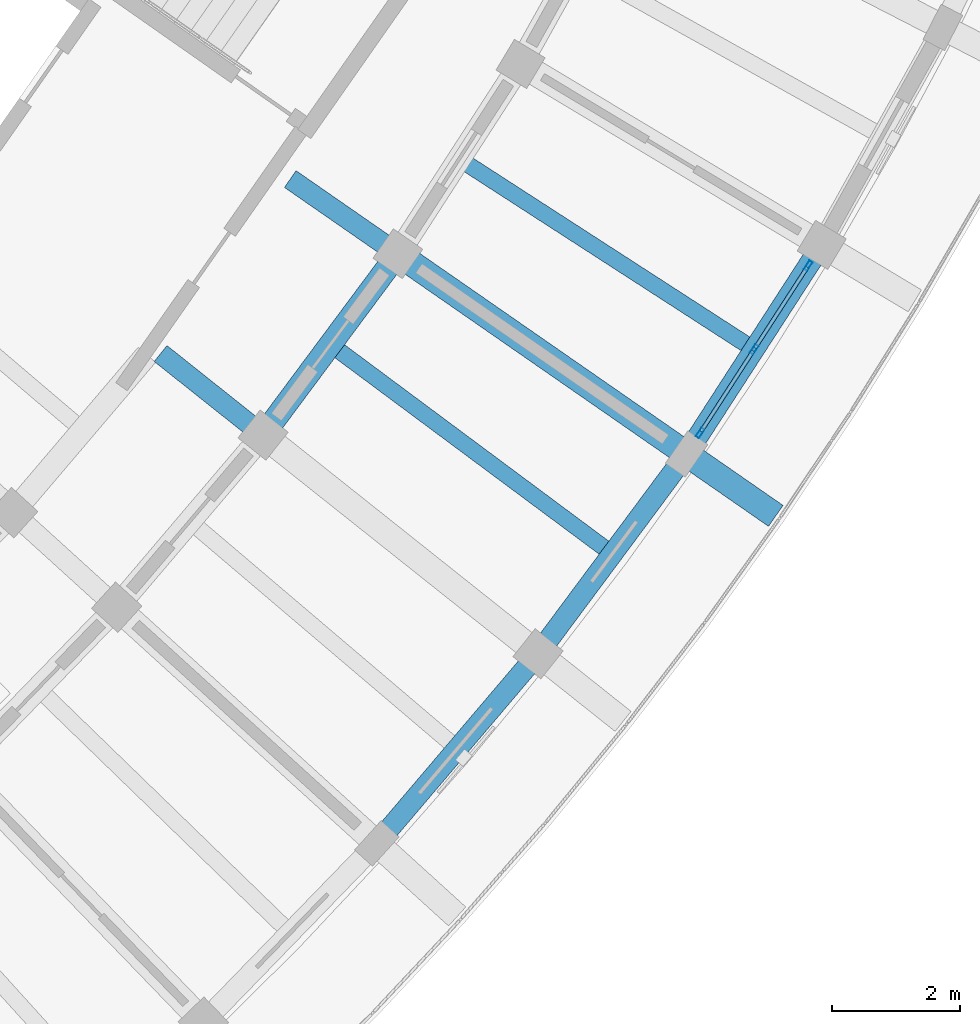
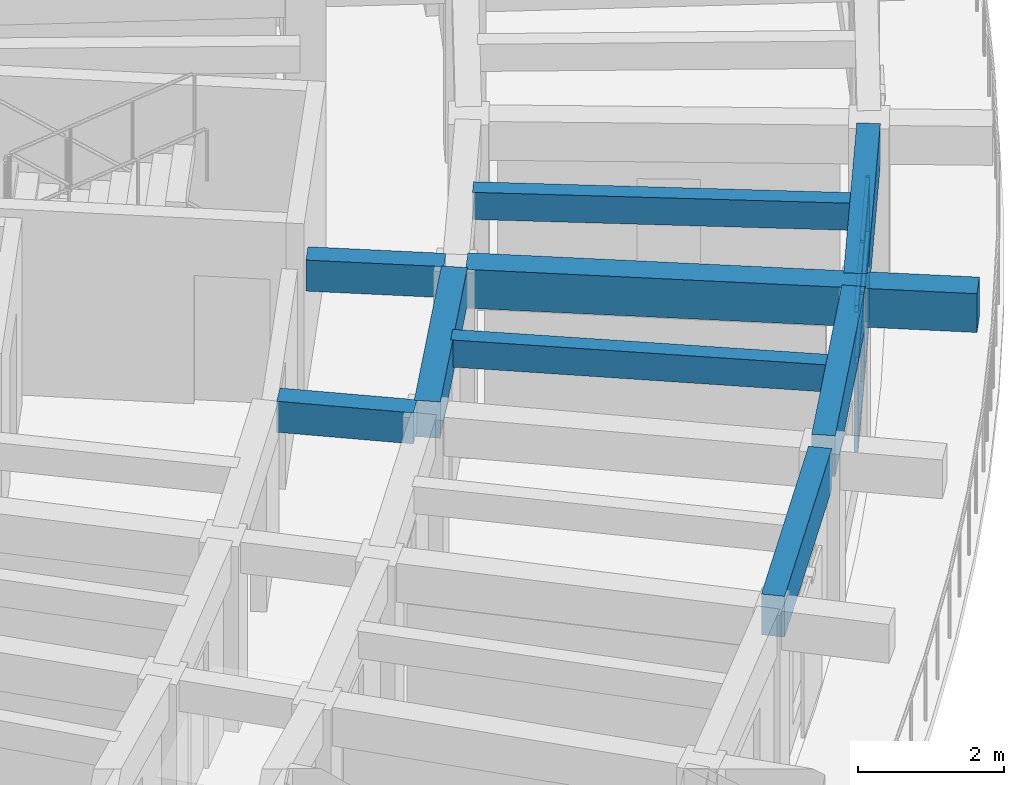
# One storey, part 21 of 78: 9 beams, 9 members, 1 element without a shape of its own.
"""IFC4 building model written with IfcOpenShell, lengths in metres."""

import ifcopenshell
import ifcopenshell.guid

model = None  # the IFC model being written
_history = None  # IfcOwnerHistory: only IFC2X3 demands one
_inside = {}  # id of a spatial element -> (the spatial element, [elements in it])
_under = {}  # id of a project, library or spatial element -> (it, [spatial elements below it])
_declared = {}  # id of a project -> (the project, [libraries it declares])
_typed = {}  # id of a type object -> (the type object, [elements of that type])
_made_of = {}  # id of a material, layer set ... -> (it, [elements and type objects made of it])


def new_model(schema):
    """Start an empty IFC model of exactly this schema.

    Asked for "IFC4X3", IfcOpenShell would pick the latest addendum, in which some entities
    have other attributes; the version numbers below select the first issue.
    IFC2X3 requires an IfcOwnerHistory on every rooted entity: one is made here for all.
    """
    global model, _history
    if schema == "IFC4X3":
        model = ifcopenshell.file(schema_version=(4, 3, 0, 0))
    else:
        model = ifcopenshell.file(schema=schema)
    _inside.clear()
    _under.clear()
    _declared.clear()
    _typed.clear()
    _made_of.clear()
    _history = None
    if model.schema == "IFC2X3":
        org = make("IfcOrganization", Name="unknown")
        user = make(
            "IfcPersonAndOrganization",
            ThePerson=make("IfcPerson", FamilyName="unknown"),
            TheOrganization=org,
        )
        app = make(
            "IfcApplication",
            ApplicationDeveloper=org,
            Version="unknown",
            ApplicationFullName="unknown",
            ApplicationIdentifier="unknown",
        )
        _history = make(
            "IfcOwnerHistory",
            OwningUser=user,
            OwningApplication=app,
            ChangeAction="ADDED",
            CreationDate=0,
        )
    return model


def make(cls, **values):
    """One entity of the class cls with the attributes given. An attribute that is None is left unset."""
    return model.create_entity(
        cls, **{name: value for name, value in values.items() if value is not None}
    )


def rooted(cls, **values):
    """An entity with a GlobalId (a new one), such as an element, a storey or a relation."""
    return make(cls, GlobalId=ifcopenshell.guid.new(), OwnerHistory=_history, **values)


def si_unit(unit_type, name, prefix=None):
    """IfcSIUnit, for example si_unit("LENGTHUNIT", "METRE", prefix="MILLI")."""
    return make("IfcSIUnit", UnitType=unit_type, Prefix=prefix, Name=name)


def assignment(units):
    """IfcUnitAssignment: the units of a project."""
    return None if units is None else make("IfcUnitAssignment", Units=units)


def point(xyz):
    """IfcCartesianPoint."""
    return None if xyz is None else make("IfcCartesianPoint", Coordinates=xyz)


def direction(xyz):
    """IfcDirection."""
    return None if xyz is None else make("IfcDirection", DirectionRatios=xyz)


def frame(location, z_axis=None, x_axis=None):
    """IfcAxis2Placement3D, a coordinate frame: its origin and axes. An axis left out is left unset."""
    return make(
        "IfcAxis2Placement3D",
        Location=point(location),
        Axis=direction(z_axis),
        RefDirection=direction(x_axis),
    )


def frame_2d(location, x_axis=None):
    """IfcAxis2Placement2D, a coordinate frame in the plane: its origin and x axis."""
    return make(
        "IfcAxis2Placement2D", Location=point(location), RefDirection=direction(x_axis)
    )


def origin():
    """The frame at (0, 0, 0) with its axes left unset."""
    return frame((0.0, 0.0, 0.0))


def origin_2d():
    """The frame at (0, 0) in the plane with its x axis left unset."""
    return frame_2d((0.0, 0.0))


def place(relative_to, where):
    """IfcLocalPlacement: puts the frame where relative to a parent placement (None: the world)."""
    return make(
        "IfcLocalPlacement", PlacementRelTo=relative_to, RelativePlacement=where
    )


def context(
    kind, dimensions, precision=None, world=None, true_north=None, identifier=None
):
    """IfcGeometricRepresentationContext, for example the 3D "Model" context."""
    return make(
        "IfcGeometricRepresentationContext",
        ContextIdentifier=identifier,
        ContextType=kind,
        CoordinateSpaceDimension=dimensions,
        Precision=precision,
        WorldCoordinateSystem=world,
        TrueNorth=true_north,
    )


def subcontext(parent, identifier, kind, view, scale=None):
    """IfcGeometricRepresentationSubContext, for example "Body" below "Model"."""
    return make(
        "IfcGeometricRepresentationSubContext",
        ContextIdentifier=identifier,
        ContextType=kind,
        ParentContext=parent,
        TargetScale=scale,
        TargetView=view,
    )


def project(units=None, contexts=None):
    """IfcProject with its units and contexts."""
    return rooted(
        "IfcProject",
        Name="project",
        RepresentationContexts=contexts,
        UnitsInContext=assignment(units),
    )


def spatial(cls, under=None, at=None, **own):
    """A site, building, storey or space (cls), placed at a placement, below another one or the project."""
    s = rooted(cls, ObjectPlacement=at, **own)
    if under is not None:
        _under.setdefault(under.id(), (under, []))[1].append(s)
    return s


def profile(cls, at=None, kind="AREA", **sizes):
    """A parametric profile (cls). Its sizes go by their IFC names, for example OverallWidth=200.0."""
    return make(cls, ProfileType=kind, Position=at, **sizes)


def rectangle(**sizes):
    """IfcRectangleProfileDef."""
    return profile("IfcRectangleProfileDef", **sizes)


def hollow_rectangle(**sizes):
    """IfcRectangleHollowProfileDef."""
    return profile("IfcRectangleHollowProfileDef", **sizes)


def extrude(swept, where, along, depth):
    """IfcExtrudedAreaSolid: the profile swept, set in the frame where, extruded along a direction by depth."""
    return make(
        "IfcExtrudedAreaSolid",
        SweptArea=swept,
        Position=where,
        ExtrudedDirection=direction(along),
        Depth=depth,
    )


def shape(context_of_items, identifier, shape_type, items):
    """IfcShapeRepresentation: the items that make up one representation, for example the "Body"."""
    return make(
        "IfcShapeRepresentation",
        ContextOfItems=context_of_items,
        RepresentationIdentifier=identifier,
        RepresentationType=shape_type,
        Items=items,
    )


def material(Name=None, Category=None):
    """IfcMaterial."""
    return make("IfcMaterial", Name=Name, Category=Category)


def material_profile(
    of_material, cross_section, Name=None, Category=None, Priority=None
):
    """IfcMaterialProfile: a cross section and its material."""
    return make(
        "IfcMaterialProfile",
        Name=Name,
        Material=of_material,
        Profile=cross_section,
        Priority=Priority,
        Category=Category,
    )


def profile_set(profiles, Name=None, composite=None):
    """IfcMaterialProfileSet."""
    return make(
        "IfcMaterialProfileSet",
        Name=Name,
        MaterialProfiles=profiles,
        CompositeProfile=composite,
    )


def made_of(thing, what):
    """Note that an element or type object is made of a material, layer set ...; save() writes the relation."""
    if what is not None:
        _made_of.setdefault(what.id(), (what, []))[1].append(thing)
    return thing


def type_object(cls, material=None, **own):
    """A type object (cls), such as IfcWallType, which elements share."""
    return made_of(rooted(cls, **own), material)


def element(
    cls,
    number,
    at=None,
    inside=None,
    cuts=None,
    type_object=None,
    material=None,
    context=None,
    identifier="Body",
    shape_type=None,
    held_by="IfcProductDefinitionShape",
    body=None,
    shapes=None,
    **own,
):
    """One element of the class cls, such as IfcWall. Its Tag is "e" and its number.

    at: its placement. inside: the storey or other place that contains it. cuts: it is an
    opening in that element (IfcRelVoidsElement). A single representation is given by context,
    identifier, shape_type and body (its items); several are given by shapes. held_by: the class
    of the entity that holds the representations. save() writes the other relations.
    """
    e = rooted(cls, Tag="e%d" % number, ObjectPlacement=at, **own)
    if body is not None:
        shapes = [shape(context, identifier, shape_type, body)]
    if shapes is not None:
        e.Representation = make(held_by, Representations=shapes)
    if inside is not None:
        _inside.setdefault(inside.id(), (inside, []))[1].append(e)
    if cuts is not None:
        rooted(
            "IfcRelVoidsElement", RelatingBuildingElement=cuts, RelatedOpeningElement=e
        )
    if type_object is not None:
        _typed.setdefault(type_object.id(), (type_object, []))[1].append(e)
    return made_of(e, material)


def aggregate(whole, parts):
    """IfcRelAggregates: a whole, such as a stair, and the parts it consists of."""
    return rooted("IfcRelAggregates", RelatingObject=whole, RelatedObjects=parts)


def save(model, path):
    """Write the relations noted so far, then the file.

    IfcRelAggregates (storeys below a building ...), IfcRelContainedInSpatialStructure (elements
    in a storey), IfcRelDefinesByType, IfcRelAssociatesMaterial and IfcRelDeclares: one each for
    every whole, place, type object, material and project.
    """
    for whole, parts in _under.values():
        aggregate(whole, parts)
    for where, things in _inside.values():
        rooted(
            "IfcRelContainedInSpatialStructure",
            RelatedElements=things,
            RelatingStructure=where,
        )
    for kind, things in _typed.values():
        rooted("IfcRelDefinesByType", RelatedObjects=things, RelatingType=kind)
    for what, things in _made_of.values():
        rooted("IfcRelAssociatesMaterial", RelatedObjects=things, RelatingMaterial=what)
    for by, libraries in _declared.values():
        rooted("IfcRelDeclares", RelatingContext=by, RelatedDefinitions=libraries)
    model.write(path)


model = new_model("IFC4")

# Units and contexts
model_context = context("Model", 3, precision=1e-05, world=origin(), true_north=direction((0.0, 1.0)))
body_context = subcontext(model_context, "Body", "Model", "MODEL_VIEW")
ifc_project = project(units=[si_unit("LENGTHUNIT", "METRE"), si_unit("AREAUNIT", "SQUARE_METRE"), si_unit("VOLUMEUNIT", "CUBIC_METRE"), si_unit("PLANEANGLEUNIT", "RADIAN"), si_unit("MASSUNIT", "GRAM", prefix="KILO")], contexts=[model_context])

# Site, building, storey
site_placement = place(None, origin())
site = spatial("IfcSite", under=ifc_project, at=site_placement, CompositionType="ELEMENT")
building_placement = place(site_placement, origin())
building = spatial("IfcBuilding", under=site, at=building_placement, Name="Tanwirah Colonnade Gardens", CompositionType="ELEMENT")
storey_placement = place(building_placement, frame((0.0, 0.0, 22.280029296875)))
storey = spatial("IfcBuildingStorey", under=building, at=storey_placement, Name="L06", CompositionType="ELEMENT", Elevation=22.280029296875)

# Beams
ifc_material_1 = material(Name="Precast concrete C40/50", Category="concrete")
ifc_material_profile_1 = material_profile(ifc_material_1, rectangle(XDim=0.360107421875, YDim=0.610107421875, at=origin_2d()), Name="PC-BM 360x610")
ifc_profile_set_1 = profile_set([ifc_material_profile_1], Name="Precast concrete C40/50")
beam_type_1 = type_object("IfcBeamType", Name="BM-PC300", PredefinedType="BEAM", material=ifc_profile_set_1)
beam_1_placement = place(storey_placement, frame((163.389404296875, 30.973388671875, 2.804931640625), z_axis=(0.596579473879, 0.802554005252, 0.0), x_axis=(-0.802554005252, 0.596579473879, 0.0)))
element("IfcBeam", 1, at=beam_1_placement, inside=storey, type_object=beam_type_1, Name="Block D L06 Circumferential Beam 10-R2", PredefinedType="BEAM", context=body_context, shape_type="SweptSolid", body=[
    extrude(rectangle(XDim=0.360107421875, YDim=0.610107421875, at=origin_2d()), origin(), (0.0, 0.0, 1.0), 3.237060546875),
])
ifc_material_profile_2 = material_profile(ifc_material_1, rectangle(XDim=0.320068359375, YDim=0.52001953125, at=origin_2d()), Name="PC-BM 320x520")
ifc_profile_set_2 = profile_set([ifc_material_profile_2], Name="Precast concrete C40/50")
beam_type_2 = type_object("IfcBeamType", Name="BM-PC320", PredefinedType="BEAM", material=ifc_profile_set_2)
beam_2_placement = place(storey_placement, frame((161.695556640625, 32.129150390625, 2.849853515625), z_axis=(0.782670764896, -0.622435919415, 0.0), x_axis=(0.622435919415, 0.782670764896, 0.0)))
element("IfcBeam", 2, at=beam_2_placement, inside=storey, type_object=beam_type_2, Name="Block D L06 Corridor Tie Beam 10", PredefinedType="BEAM", context=body_context, shape_type="SweptSolid", body=[
    extrude(rectangle(XDim=0.320068359375, YDim=0.52001953125, at=origin_2d()), origin(), (0.0, 0.0, 1.0), 1.89990234375),
])
beam_3_placement = place(storey_placement, frame((163.7255859375, 34.860107421875, 2.849853515625), z_axis=(0.821669163201, -0.569964723684, 0.0), x_axis=(0.569964723684, 0.821669163201, 0.0)))
element("IfcBeam", 3, at=beam_3_placement, inside=storey, type_object=beam_type_2, Name="Block D L06 Corridor Tie Beam 11", PredefinedType="BEAM", context=body_context, shape_type="SweptSolid", body=[
    extrude(rectangle(XDim=0.320068359375, YDim=0.52001953125, at=origin_2d()), origin(), (0.0, 0.0, 1.0), 1.900146484375),
])
ifc_material_2 = material(Name="Precast concrete C45/55", Category="concrete")
ifc_material_profile_3 = material_profile(ifc_material_2, rectangle(XDim=0.39990234375, YDim=0.64990234375, at=origin_2d()), Name="PC-BM 400x650")
ifc_profile_set_3 = profile_set([ifc_material_profile_3], Name="Precast concrete C45/55")
beam_type_3 = type_object("IfcBeamType", Name="BM-PC400", PredefinedType="BEAM", material=ifc_profile_set_3)
beam_4_placement = place(storey_placement, frame((165.533203125, 33.606201171875, 2.784912109375), z_axis=(0.821647028495, -0.569996632066, 0.0), x_axis=(0.569996632066, 0.821647028495, 0.0)))
element("IfcBeam", 4, at=beam_4_placement, inside=storey, type_object=beam_type_3, Name="Block D L06 Outer Radial Precast Girder 11", PredefinedType="BEAM", context=body_context, shape_type="SweptSolid", body=[
    extrude(rectangle(XDim=0.39990234375, YDim=0.64990234375, at=origin_2d()), origin(), (0.0, 0.0, 1.0), 7.050048828125),
])

# Curtain wall, members
ifc_material_3 = material(Name="Bronze-anodised aluminium and solar-control low-E glass", Category="aluminium")
curtain_wall_type = type_object("IfcCurtainWallType", Name="CW-LOB", PredefinedType="NOTDEFINED", material=ifc_material_3)
curtain_wall_placement = place(storey_placement, origin())
curtain_wall = element("IfcCurtainWall", 5, at=curtain_wall_placement, inside=storey, type_object=curtain_wall_type, Name="Curtain Wall CW-D-L06-OUT-11", PredefinedType="NOTDEFINED")
ifc_material_4 = material(Name="Bronze-anodised aluminium", Category="aluminium")
ifc_material_profile_4 = material_profile(ifc_material_4, hollow_rectangle(XDim=0.06005859375, YDim=0.159912109375, WallThickness=0.00390625, at=origin_2d()), Name="CW-MUL 60x160x4")
ifc_profile_set_4 = profile_set([ifc_material_profile_4], Name="Bronze-anodised aluminium")
member_type_1 = type_object("IfcMemberType", Name="CWM-60x160", PredefinedType="MULLION", material=ifc_profile_set_4)
member_1_placement = place(storey_placement, frame((170.140869140625, 30.88427734375, 0.0), z_axis=(0.0, 0.0, 1.0), x_axis=(-0.839857348052, 0.542807180243, 0.0)))
member_1 = element("IfcMember", 6, at=member_1_placement, type_object=member_type_1, Name="CW-LOB mullion 1", PredefinedType="MULLION", context=body_context, shape_type="SweptSolid", body=[
    extrude(hollow_rectangle(XDim=0.06005859375, YDim=0.159912109375, WallThickness=0.00390625, at=origin_2d()), origin(), (0.0, 0.0, 1.0), 2.35498046875),
])
member_2_placement = place(storey_placement, frame((170.98681640625, 32.193115234375, 0.0), z_axis=(0.0, 0.0, 1.0), x_axis=(-0.839857348052, 0.542807180243, 0.0)))
member_2 = element("IfcMember", 7, at=member_2_placement, type_object=member_type_1, Name="CW-LOB mullion 2", PredefinedType="MULLION", context=body_context, shape_type="SweptSolid", body=[
    extrude(hollow_rectangle(XDim=0.06005859375, YDim=0.159912109375, WallThickness=0.00390625, at=origin_2d()), origin(), (0.0, 0.0, 1.0), 2.35498046875),
])
member_3_placement = place(storey_placement, frame((171.83251953125, 33.501953125, 0.0), z_axis=(0.0, 0.0, 1.0), x_axis=(-0.839857348052, 0.542807180243, 0.0)))
member_3 = element("IfcMember", 8, at=member_3_placement, type_object=member_type_1, Name="CW-LOB mullion 3", PredefinedType="MULLION", context=body_context, shape_type="SweptSolid", body=[
    extrude(hollow_rectangle(XDim=0.06005859375, YDim=0.159912109375, WallThickness=0.00390625, at=origin_2d()), origin(), (0.0, 0.0, 1.0), 2.35498046875),
])
ifc_material_profile_5 = material_profile(ifc_material_4, hollow_rectangle(XDim=0.06005859375, YDim=0.1201171875, WallThickness=0.00390625, at=origin_2d()), Name="CW-TRN 60x120x4")
ifc_profile_set_5 = profile_set([ifc_material_profile_5], Name="Bronze-anodised aluminium")
member_type_2 = type_object("IfcMemberType", Name="CWT-60x120", PredefinedType="USERDEFINED", material=ifc_profile_set_5)
member_4_placement = place(storey_placement, frame((170.156982421875, 30.909423828125, 0.030029296875), z_axis=(0.542839152146, 0.839836683467, 0.0), x_axis=(-0.839836683467, 0.542839152146, 0.0)))
member_4 = element("IfcMember", 9, at=member_4_placement, type_object=member_type_2, Name="CW-LOB transom 1.1", ObjectType="TRANSOM", PredefinedType="USERDEFINED", context=body_context, shape_type="SweptSolid", body=[
    extrude(hollow_rectangle(XDim=0.06005859375, YDim=0.1201171875, WallThickness=0.00390625, at=origin_2d()), origin(), (0.0, 0.0, 1.0), 1.49853515625),
])
member_5_placement = place(storey_placement, frame((170.156982421875, 30.909423828125, 1.4599609375), z_axis=(0.542839152146, 0.839836683467, 0.0), x_axis=(-0.839836683467, 0.542839152146, 0.0)))
member_5 = element("IfcMember", 10, at=member_5_placement, type_object=member_type_2, Name="CW-LOB transom 1.2", ObjectType="TRANSOM", PredefinedType="USERDEFINED", context=body_context, shape_type="SweptSolid", body=[
    extrude(hollow_rectangle(XDim=0.06005859375, YDim=0.1201171875, WallThickness=0.00390625, at=origin_2d()), origin(), (0.0, 0.0, 1.0), 1.49853515625),
])
member_6_placement = place(storey_placement, frame((170.156982421875, 30.909423828125, 2.324951171875), z_axis=(0.542839152146, 0.839836683467, 0.0), x_axis=(-0.839836683467, 0.542839152146, 0.0)))
member_6 = element("IfcMember", 11, at=member_6_placement, type_object=member_type_2, Name="CW-LOB transom 1.3", ObjectType="TRANSOM", PredefinedType="USERDEFINED", context=body_context, shape_type="SweptSolid", body=[
    extrude(hollow_rectangle(XDim=0.06005859375, YDim=0.1201171875, WallThickness=0.00390625, at=origin_2d()), origin(), (0.0, 0.0, 1.0), 1.49853515625),
])
member_7_placement = place(storey_placement, frame((171.0029296875, 32.21826171875, 0.030029296875), z_axis=(0.542839152146, 0.839836683467, 0.0), x_axis=(-0.839836683467, 0.542839152146, 0.0)))
member_7 = element("IfcMember", 12, at=member_7_placement, type_object=member_type_2, Name="CW-LOB transom 2.1", ObjectType="TRANSOM", PredefinedType="USERDEFINED", context=body_context, shape_type="SweptSolid", body=[
    extrude(hollow_rectangle(XDim=0.06005859375, YDim=0.1201171875, WallThickness=0.00390625, at=origin_2d()), origin(), (0.0, 0.0, 1.0), 1.49853515625),
])
member_8_placement = place(storey_placement, frame((171.0029296875, 32.21826171875, 1.4599609375), z_axis=(0.542839152146, 0.839836683467, 0.0), x_axis=(-0.839836683467, 0.542839152146, 0.0)))
member_8 = element("IfcMember", 13, at=member_8_placement, type_object=member_type_2, Name="CW-LOB transom 2.2", ObjectType="TRANSOM", PredefinedType="USERDEFINED", context=body_context, shape_type="SweptSolid", body=[
    extrude(hollow_rectangle(XDim=0.06005859375, YDim=0.1201171875, WallThickness=0.00390625, at=origin_2d()), origin(), (0.0, 0.0, 1.0), 1.49853515625),
])
member_9_placement = place(storey_placement, frame((171.0029296875, 32.21826171875, 2.324951171875), z_axis=(0.542839152146, 0.839836683467, 0.0), x_axis=(-0.839836683467, 0.542839152146, 0.0)))
member_9 = element("IfcMember", 14, at=member_9_placement, type_object=member_type_2, Name="CW-LOB transom 2.3", ObjectType="TRANSOM", PredefinedType="USERDEFINED", context=body_context, shape_type="SweptSolid", body=[
    extrude(hollow_rectangle(XDim=0.06005859375, YDim=0.1201171875, WallThickness=0.00390625, at=origin_2d()), origin(), (0.0, 0.0, 1.0), 1.49853515625),
])
aggregate(curtain_wall, [member_1, member_2, member_3, member_4, member_5, member_6, member_7, member_8, member_9])

# Beams
ifc_material_profile_6 = material_profile(ifc_material_1, rectangle(XDim=0.2548828125, YDim=0.455078125, at=origin_2d()), Name="PC-JST 255x455")
ifc_profile_set_6 = profile_set([ifc_material_profile_6], Name="Precast concrete C40/50")
beam_type_4 = type_object("IfcBeamType", Name="JST-PC240", PredefinedType="JOIST", material=ifc_profile_set_6)
for number, where, z_axis, x_axis, name in (
    (15, (164.474609375, 32.18359375, 2.882568359375), (0.802560347737, -0.596570941499, 0.0), (0.596570941499, 0.802560347737, 0.0), "Block D L06 Precast Floor Joist 10"),
    (16, (166.4951171875, 35.09619140625, 2.882568359375), (0.839842770955, -0.542829733963, 0.0), (0.542829733963, 0.839842770955, 0.0), "Block D L06 Precast Floor Joist 11"),
):
    element("IfcBeam", number, at=place(storey_placement, frame(where, z_axis=z_axis, x_axis=x_axis)), inside=storey, type_object=beam_type_4, Name=name, PredefinedType="JOIST", context=body_context, shape_type="SweptSolid", body=[
        extrude(rectangle(XDim=0.2548828125, YDim=0.455078125, at=origin_2d()), origin(), (0.0, 0.0, 1.0), 5.260009765625),
    ])
ifc_material_profile_7 = material_profile(ifc_material_1, rectangle(XDim=0.324951171875, YDim=0.68505859375, at=origin_2d()), Name="PC-SP 325x685")
ifc_profile_set_7 = profile_set([ifc_material_profile_7], Name="Precast concrete C40/50")
beam_type_5 = type_object("IfcBeamType", Name="SP-PC260", PredefinedType="SPANDREL", material=ifc_profile_set_7)
beam_5_placement = place(storey_placement, frame((165.17724609375, 24.574951171875, 2.767578125), z_axis=(0.647784367984, 0.76182374116, 0.0), x_axis=(-0.76182374116, 0.647784367984, 0.0)))
element("IfcBeam", 17, at=beam_5_placement, inside=storey, type_object=beam_type_5, Name="Block D L06 Circumferential Beam 9-R3", PredefinedType="SPANDREL", context=body_context, shape_type="SweptSolid", body=[
    extrude(rectangle(XDim=0.324951171875, YDim=0.68505859375, at=origin_2d()), origin(), (0.0, 0.0, 1.0), 3.5966796875),
])
for number, where, z_axis, x_axis, name in (
    (18, (167.69384765625, 27.549560546875, 2.767578125), (0.596562665898, 0.802566499212, 0.0), (-0.802566499212, 0.596562665898, 0.0), "Block D L06 Circumferential Beam 10-R3"),
    (19, (170.010498046875, 30.6826171875, 2.767578125), (0.542786838894, 0.839870494495, 0.0), (-0.839870494495, 0.542786838894, 0.0), "Block D L06 Circumferential Beam 11-R3"),
):
    element("IfcBeam", number, at=place(storey_placement, frame(where, z_axis=z_axis, x_axis=x_axis)), inside=storey, type_object=beam_type_5, Name=name, PredefinedType="SPANDREL", context=body_context, shape_type="SweptSolid", body=[
        extrude(rectangle(XDim=0.324951171875, YDim=0.68505859375, at=origin_2d()), origin(), (0.0, 0.0, 1.0), 3.596923828125),
    ])

save(model, "model.ifc")
